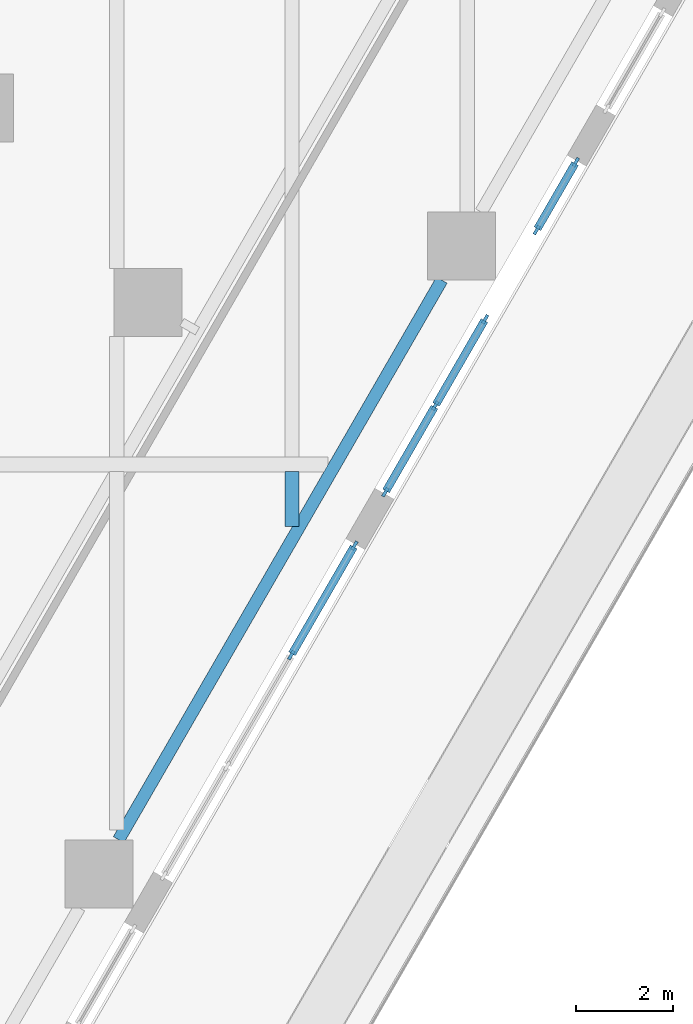
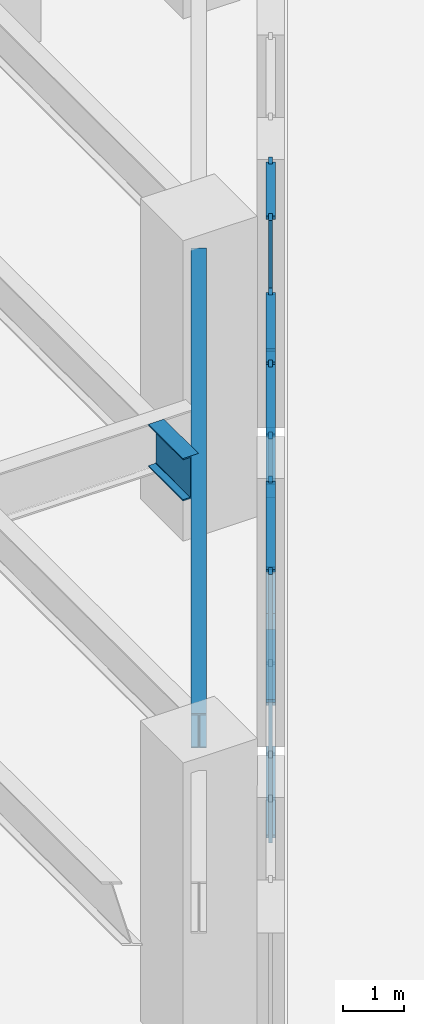
# One storey, part 10 of 40: 19 members, 2 beams, 3 elements without a shape of their own.
"""IFC4 building model written with IfcOpenShell, lengths in metres."""

import ifcopenshell
import ifcopenshell.guid

model = None  # the IFC model being written
_history = None  # IfcOwnerHistory: only IFC2X3 demands one
_inside = {}  # id of a spatial element -> (the spatial element, [elements in it])
_under = {}  # id of a project, library or spatial element -> (it, [spatial elements below it])
_declared = {}  # id of a project -> (the project, [libraries it declares])
_typed = {}  # id of a type object -> (the type object, [elements of that type])
_made_of = {}  # id of a material, layer set ... -> (it, [elements and type objects made of it])


def new_model(schema):
    """Start an empty IFC model of exactly this schema.

    Asked for "IFC4X3", IfcOpenShell would pick the latest addendum, in which some entities
    have other attributes; the version numbers below select the first issue.
    IFC2X3 requires an IfcOwnerHistory on every rooted entity: one is made here for all.
    """
    global model, _history
    if schema == "IFC4X3":
        model = ifcopenshell.file(schema_version=(4, 3, 0, 0))
    else:
        model = ifcopenshell.file(schema=schema)
    _inside.clear()
    _under.clear()
    _declared.clear()
    _typed.clear()
    _made_of.clear()
    _history = None
    if model.schema == "IFC2X3":
        org = make("IfcOrganization", Name="unknown")
        user = make(
            "IfcPersonAndOrganization",
            ThePerson=make("IfcPerson", FamilyName="unknown"),
            TheOrganization=org,
        )
        app = make(
            "IfcApplication",
            ApplicationDeveloper=org,
            Version="unknown",
            ApplicationFullName="unknown",
            ApplicationIdentifier="unknown",
        )
        _history = make(
            "IfcOwnerHistory",
            OwningUser=user,
            OwningApplication=app,
            ChangeAction="ADDED",
            CreationDate=0,
        )
    return model


def make(cls, **values):
    """One entity of the class cls with the attributes given. An attribute that is None is left unset."""
    return model.create_entity(
        cls, **{name: value for name, value in values.items() if value is not None}
    )


def rooted(cls, **values):
    """An entity with a GlobalId (a new one), such as an element, a storey or a relation."""
    return make(cls, GlobalId=ifcopenshell.guid.new(), OwnerHistory=_history, **values)


def si_unit(unit_type, name, prefix=None):
    """IfcSIUnit, for example si_unit("LENGTHUNIT", "METRE", prefix="MILLI")."""
    return make("IfcSIUnit", UnitType=unit_type, Prefix=prefix, Name=name)


def assignment(units):
    """IfcUnitAssignment: the units of a project."""
    return None if units is None else make("IfcUnitAssignment", Units=units)


def point(xyz):
    """IfcCartesianPoint."""
    return None if xyz is None else make("IfcCartesianPoint", Coordinates=xyz)


def direction(xyz):
    """IfcDirection."""
    return None if xyz is None else make("IfcDirection", DirectionRatios=xyz)


def frame(location, z_axis=None, x_axis=None):
    """IfcAxis2Placement3D, a coordinate frame: its origin and axes. An axis left out is left unset."""
    return make(
        "IfcAxis2Placement3D",
        Location=point(location),
        Axis=direction(z_axis),
        RefDirection=direction(x_axis),
    )


def frame_2d(location, x_axis=None):
    """IfcAxis2Placement2D, a coordinate frame in the plane: its origin and x axis."""
    return make(
        "IfcAxis2Placement2D", Location=point(location), RefDirection=direction(x_axis)
    )


def origin():
    """The frame at (0, 0, 0) with its axes left unset."""
    return frame((0.0, 0.0, 0.0))


def origin_2d():
    """The frame at (0, 0) in the plane with its x axis left unset."""
    return frame_2d((0.0, 0.0))


def place(relative_to, where):
    """IfcLocalPlacement: puts the frame where relative to a parent placement (None: the world)."""
    return make(
        "IfcLocalPlacement", PlacementRelTo=relative_to, RelativePlacement=where
    )


def context(
    kind, dimensions, precision=None, world=None, true_north=None, identifier=None
):
    """IfcGeometricRepresentationContext, for example the 3D "Model" context."""
    return make(
        "IfcGeometricRepresentationContext",
        ContextIdentifier=identifier,
        ContextType=kind,
        CoordinateSpaceDimension=dimensions,
        Precision=precision,
        WorldCoordinateSystem=world,
        TrueNorth=true_north,
    )


def subcontext(parent, identifier, kind, view, scale=None):
    """IfcGeometricRepresentationSubContext, for example "Body" below "Model"."""
    return make(
        "IfcGeometricRepresentationSubContext",
        ContextIdentifier=identifier,
        ContextType=kind,
        ParentContext=parent,
        TargetScale=scale,
        TargetView=view,
    )


def project(units=None, contexts=None):
    """IfcProject with its units and contexts."""
    return rooted(
        "IfcProject",
        Name="project",
        RepresentationContexts=contexts,
        UnitsInContext=assignment(units),
    )


def spatial(cls, under=None, at=None, **own):
    """A site, building, storey or space (cls), placed at a placement, below another one or the project."""
    s = rooted(cls, ObjectPlacement=at, **own)
    if under is not None:
        _under.setdefault(under.id(), (under, []))[1].append(s)
    return s


def profile(cls, at=None, kind="AREA", **sizes):
    """A parametric profile (cls). Its sizes go by their IFC names, for example OverallWidth=200.0."""
    return make(cls, ProfileType=kind, Position=at, **sizes)


def rectangle(**sizes):
    """IfcRectangleProfileDef."""
    return profile("IfcRectangleProfileDef", **sizes)


def i_section(**sizes):
    """IfcIShapeProfileDef."""
    return profile("IfcIShapeProfileDef", **sizes)


def extrude(swept, where, along, depth):
    """IfcExtrudedAreaSolid: the profile swept, set in the frame where, extruded along a direction by depth."""
    return make(
        "IfcExtrudedAreaSolid",
        SweptArea=swept,
        Position=where,
        ExtrudedDirection=direction(along),
        Depth=depth,
    )


def shape(context_of_items, identifier, shape_type, items):
    """IfcShapeRepresentation: the items that make up one representation, for example the "Body"."""
    return make(
        "IfcShapeRepresentation",
        ContextOfItems=context_of_items,
        RepresentationIdentifier=identifier,
        RepresentationType=shape_type,
        Items=items,
    )


def material(Name=None, Category=None):
    """IfcMaterial."""
    return make("IfcMaterial", Name=Name, Category=Category)


def material_profile(
    of_material, cross_section, Name=None, Category=None, Priority=None
):
    """IfcMaterialProfile: a cross section and its material."""
    return make(
        "IfcMaterialProfile",
        Name=Name,
        Material=of_material,
        Profile=cross_section,
        Priority=Priority,
        Category=Category,
    )


def profile_set(profiles, Name=None, composite=None):
    """IfcMaterialProfileSet."""
    return make(
        "IfcMaterialProfileSet",
        Name=Name,
        MaterialProfiles=profiles,
        CompositeProfile=composite,
    )


def made_of(thing, what):
    """Note that an element or type object is made of a material, layer set ...; save() writes the relation."""
    if what is not None:
        _made_of.setdefault(what.id(), (what, []))[1].append(thing)
    return thing


def type_object(cls, material=None, **own):
    """A type object (cls), such as IfcWallType, which elements share."""
    return made_of(rooted(cls, **own), material)


def element(
    cls,
    number,
    at=None,
    inside=None,
    cuts=None,
    type_object=None,
    material=None,
    context=None,
    identifier="Body",
    shape_type=None,
    held_by="IfcProductDefinitionShape",
    body=None,
    shapes=None,
    **own,
):
    """One element of the class cls, such as IfcWall. Its Tag is "e" and its number.

    at: its placement. inside: the storey or other place that contains it. cuts: it is an
    opening in that element (IfcRelVoidsElement). A single representation is given by context,
    identifier, shape_type and body (its items); several are given by shapes. held_by: the class
    of the entity that holds the representations. save() writes the other relations.
    """
    e = rooted(cls, Tag="e%d" % number, ObjectPlacement=at, **own)
    if body is not None:
        shapes = [shape(context, identifier, shape_type, body)]
    if shapes is not None:
        e.Representation = make(held_by, Representations=shapes)
    if inside is not None:
        _inside.setdefault(inside.id(), (inside, []))[1].append(e)
    if cuts is not None:
        rooted(
            "IfcRelVoidsElement", RelatingBuildingElement=cuts, RelatedOpeningElement=e
        )
    if type_object is not None:
        _typed.setdefault(type_object.id(), (type_object, []))[1].append(e)
    return made_of(e, material)


def aggregate(whole, parts):
    """IfcRelAggregates: a whole, such as a stair, and the parts it consists of."""
    return rooted("IfcRelAggregates", RelatingObject=whole, RelatedObjects=parts)


def save(model, path):
    """Write the relations noted so far, then the file.

    IfcRelAggregates (storeys below a building ...), IfcRelContainedInSpatialStructure (elements
    in a storey), IfcRelDefinesByType, IfcRelAssociatesMaterial and IfcRelDeclares: one each for
    every whole, place, type object, material and project.
    """
    for whole, parts in _under.values():
        aggregate(whole, parts)
    for where, things in _inside.values():
        rooted(
            "IfcRelContainedInSpatialStructure",
            RelatedElements=things,
            RelatingStructure=where,
        )
    for kind, things in _typed.values():
        rooted("IfcRelDefinesByType", RelatedObjects=things, RelatingType=kind)
    for what, things in _made_of.values():
        rooted("IfcRelAssociatesMaterial", RelatedObjects=things, RelatingMaterial=what)
    for by, libraries in _declared.values():
        rooted("IfcRelDeclares", RelatingContext=by, RelatedDefinitions=libraries)
    model.write(path)


model = new_model("IFC4")

# Units and contexts
model_context = context("Model", 3, precision=1e-05, world=origin(), true_north=direction((0.0, 1.0)))
body_context = subcontext(model_context, "Body", "Model", "MODEL_VIEW")
ifc_project = project(units=[si_unit("LENGTHUNIT", "METRE"), si_unit("AREAUNIT", "SQUARE_METRE"), si_unit("VOLUMEUNIT", "CUBIC_METRE"), si_unit("PLANEANGLEUNIT", "RADIAN"), si_unit("MASSUNIT", "GRAM", prefix="KILO")], contexts=[model_context])

# Site, building, storey
site_placement = place(None, origin())
site = spatial("IfcSite", under=ifc_project, at=site_placement, CompositionType="ELEMENT")
building_placement = place(site_placement, origin())
building = spatial("IfcBuilding", under=site, at=building_placement, Name="Aloe Facet Convention Tower", CompositionType="ELEMENT")
storey_placement = place(building_placement, frame((0.0, 0.0, 13.5)))
storey = spatial("IfcBuildingStorey", under=building, at=storey_placement, Name="L02", CompositionType="ELEMENT", Elevation=13.5)

# Curtain wall, members
ifc_material_1 = material(Name="Aluminium, anodised", Category="aluminium")
curtain_wall_type = type_object("IfcCurtainWallType", Name="EV-CW-HALL", PredefinedType="USERDEFINED", material=ifc_material_1)
curtain_wall_1_placement = place(storey_placement, origin())
curtain_wall_1 = element("IfcCurtainWall", 1, at=curtain_wall_1_placement, inside=storey, type_object=curtain_wall_type, Name="CW-L02-E12", ObjectType="UNITISED HALL GLAZING", PredefinedType="USERDEFINED")
ifc_material_2 = material(Name="Aluminium, anodised", Category="aluminium")
ifc_material_profile_1 = material_profile(ifc_material_2, rectangle(XDim=0.06494140625, YDim=0.199951171875, at=origin_2d()), Name="AL 65x200")
ifc_profile_set_1 = profile_set([ifc_material_profile_1], Name="Aluminium, anodised")
member_type_1 = type_object("IfcMemberType", Name="EV-MULL-HALL", PredefinedType="MULLION", material=ifc_profile_set_1)
member_1_placement = place(storey_placement, frame((108.78515625, 95.07763671875, -0.300048828125), z_axis=(0.0, 0.0, 1.0), x_axis=(-0.866025403758, 0.500000000045, 0.0)))
member_1 = element("IfcMember", 2, at=member_1_placement, type_object=member_type_1, Name="CW-L02-E12 mullion 3", PredefinedType="MULLION", context=body_context, shape_type="SweptSolid", body=[
    extrude(rectangle(XDim=0.06494140625, YDim=0.199951171875, at=origin_2d()), origin(), (0.0, 0.0, 1.0), 5.362548828125),
])
member_2_placement = place(storey_placement, frame((110.085205078125, 97.329833984375, -0.300048828125), z_axis=(0.0, 0.0, 1.0), x_axis=(-0.866025403758, 0.500000000045, 0.0)))
member_2 = element("IfcMember", 3, at=member_2_placement, type_object=member_type_1, Name="CW-L02-E12 mullion 4", PredefinedType="MULLION", context=body_context, shape_type="SweptSolid", body=[
    extrude(rectangle(XDim=0.06494140625, YDim=0.199951171875, at=origin_2d()), origin(), (0.0, 0.0, 1.0), 5.362548828125),
])

curtain_wall_2_placement = place(storey_placement, origin())
curtain_wall_2 = element("IfcCurtainWall", 4, at=curtain_wall_2_placement, inside=storey, type_object=curtain_wall_type, Name="CW-L02-E14-1", ObjectType="UNITISED HALL GLAZING", PredefinedType="USERDEFINED")
member_3_placement = place(storey_placement, frame((110.7177734375, 98.42529296875, -0.300048828125), z_axis=(0.0, 0.0, 1.0), x_axis=(-0.866025403863, 0.499999999864, 0.0)))
member_3 = element("IfcMember", 5, at=member_3_placement, type_object=member_type_1, Name="CW-L02-E14-1 mullion 1", PredefinedType="MULLION", context=body_context, shape_type="SweptSolid", body=[
    extrude(rectangle(XDim=0.06494140625, YDim=0.199951171875, at=origin_2d()), origin(), (0.0, 0.0, 1.0), 5.362548828125),
])
member_4_placement = place(storey_placement, frame((111.74462890625, 100.20361328125, -0.300048828125), z_axis=(0.0, 0.0, 1.0), x_axis=(-0.866025403863, 0.499999999864, 0.0)))
member_4 = element("IfcMember", 6, at=member_4_placement, type_object=member_type_1, Name="CW-L02-E14-1 mullion 2", PredefinedType="MULLION", context=body_context, shape_type="SweptSolid", body=[
    extrude(rectangle(XDim=0.06494140625, YDim=0.199951171875, at=origin_2d()), origin(), (0.0, 0.0, 1.0), 5.362548828125),
])
member_5_placement = place(storey_placement, frame((112.771240234375, 101.98193359375, -0.300048828125), z_axis=(0.0, 0.0, 1.0), x_axis=(-0.866025403863, 0.499999999864, 0.0)))
member_5 = element("IfcMember", 7, at=member_5_placement, type_object=member_type_1, Name="CW-L02-E14-1 mullion 3", PredefinedType="MULLION", context=body_context, shape_type="SweptSolid", body=[
    extrude(rectangle(XDim=0.06494140625, YDim=0.199951171875, at=origin_2d()), origin(), (0.0, 0.0, 1.0), 5.362548828125),
])

curtain_wall_3_placement = place(storey_placement, origin())
curtain_wall_3 = element("IfcCurtainWall", 8, at=curtain_wall_3_placement, inside=storey, type_object=curtain_wall_type, Name="CW-L02-E14-2", ObjectType="UNITISED HALL GLAZING", PredefinedType="USERDEFINED")
member_6_placement = place(storey_placement, frame((113.828369140625, 103.812744140625, -0.300048828125), z_axis=(0.0, 0.0, 1.0), x_axis=(-0.866025403889, 0.499999999819, 0.0)))
member_6 = element("IfcMember", 9, at=member_6_placement, type_object=member_type_1, Name="CW-L02-E14-2 mullion 1", PredefinedType="MULLION", context=body_context, shape_type="SweptSolid", body=[
    extrude(rectangle(XDim=0.06494140625, YDim=0.199951171875, at=origin_2d()), origin(), (0.0, 0.0, 1.0), 5.362548828125),
])
member_7_placement = place(storey_placement, frame((114.634765625, 105.20947265625, -0.300048828125), z_axis=(0.0, 0.0, 1.0), x_axis=(-0.866025403889, 0.499999999819, 0.0)))
member_7 = element("IfcMember", 10, at=member_7_placement, type_object=member_type_1, Name="CW-L02-E14-2 mullion 2", PredefinedType="MULLION", context=body_context, shape_type="SweptSolid", body=[
    extrude(rectangle(XDim=0.06494140625, YDim=0.199951171875, at=origin_2d()), origin(), (0.0, 0.0, 1.0), 5.362548828125),
])

# Member
ifc_material_3 = material(Name="Aluminium, anodised", Category="aluminium")
ifc_material_profile_2 = material_profile(ifc_material_3, rectangle(XDim=0.159912109375, YDim=0.06494140625, at=origin_2d()), Name="AL 160x65")
ifc_profile_set_2 = profile_set([ifc_material_profile_2], Name="Aluminium, anodised")
member_type_2 = type_object("IfcMemberType", Name="EV-TRAN-HALL", PredefinedType="USERDEFINED", material=ifc_profile_set_2)
member_8_placement = place(storey_placement, frame((108.80126953125, 95.10595703125, -0.267578125), z_axis=(0.500022507987, 0.866012408402, 0.0), x_axis=(-0.866012408402, 0.500022507987, 0.0)))
member_8 = element("IfcMember", 11, at=member_8_placement, type_object=member_type_2, Name="CW-L02-E12 transom 3.1", ObjectType="TRANSOM", PredefinedType="USERDEFINED", context=body_context, shape_type="SweptSolid", body=[
    extrude(rectangle(XDim=0.159912109375, YDim=0.06494140625, at=origin_2d()), origin(), (0.0, 0.0, 1.0), 2.53564453125),
])

member_9_placement = place(storey_placement, frame((108.80126953125, 95.10595703125, 2.38134765625), z_axis=(0.500022507987, 0.866012408402, 0.0), x_axis=(-0.866012408402, 0.500022507987, 0.0)))
member_9 = element("IfcMember", 12, at=member_9_placement, type_object=member_type_2, Name="CW-L02-E12 transom 3.2", ObjectType="TRANSOM", PredefinedType="USERDEFINED", context=body_context, shape_type="SweptSolid", body=[
    extrude(rectangle(XDim=0.159912109375, YDim=0.06494140625, at=origin_2d()), origin(), (0.0, 0.0, 1.0), 2.53564453125),
])

member_10_placement = place(storey_placement, frame((108.80126953125, 95.10595703125, 5.030029296875), z_axis=(0.500022507987, 0.866012408402, 0.0), x_axis=(-0.866012408402, 0.500022507987, 0.0)))
member_10 = element("IfcMember", 13, at=member_10_placement, type_object=member_type_2, Name="CW-L02-E12 transom 3.3", ObjectType="TRANSOM", PredefinedType="USERDEFINED", context=body_context, shape_type="SweptSolid", body=[
    extrude(rectangle(XDim=0.159912109375, YDim=0.06494140625, at=origin_2d()), origin(), (0.0, 0.0, 1.0), 2.53564453125),
])

aggregate(curtain_wall_1, [member_1, member_2, member_8, member_9, member_10])

member_11_placement = place(storey_placement, frame((110.734130859375, 98.453369140625, -0.267578125), z_axis=(0.499942098031, 0.866058830921, 0.0), x_axis=(-0.866058830921, 0.499942098031, 0.0)))
member_11 = element("IfcMember", 14, at=member_11_placement, type_object=member_type_2, Name="CW-L02-E14-1 transom 1.1", ObjectType="TRANSOM", PredefinedType="USERDEFINED", context=body_context, shape_type="SweptSolid", body=[
    extrude(rectangle(XDim=0.159912109375, YDim=0.06494140625, at=origin_2d()), origin(), (0.0, 0.0, 1.0), 1.988525390625),
])

member_12_placement = place(storey_placement, frame((110.734130859375, 98.453369140625, 2.38134765625), z_axis=(0.499942098031, 0.866058830921, 0.0), x_axis=(-0.866058830921, 0.499942098031, 0.0)))
member_12 = element("IfcMember", 15, at=member_12_placement, type_object=member_type_2, Name="CW-L02-E14-1 transom 1.2", ObjectType="TRANSOM", PredefinedType="USERDEFINED", context=body_context, shape_type="SweptSolid", body=[
    extrude(rectangle(XDim=0.159912109375, YDim=0.06494140625, at=origin_2d()), origin(), (0.0, 0.0, 1.0), 1.988525390625),
])

member_13_placement = place(storey_placement, frame((110.734130859375, 98.453369140625, 5.030029296875), z_axis=(0.499942098031, 0.866058830921, 0.0), x_axis=(-0.866058830921, 0.499942098031, 0.0)))
member_13 = element("IfcMember", 16, at=member_13_placement, type_object=member_type_2, Name="CW-L02-E14-1 transom 1.3", ObjectType="TRANSOM", PredefinedType="USERDEFINED", context=body_context, shape_type="SweptSolid", body=[
    extrude(rectangle(XDim=0.159912109375, YDim=0.06494140625, at=origin_2d()), origin(), (0.0, 0.0, 1.0), 1.988525390625),
])

member_14_placement = place(storey_placement, frame((111.7607421875, 100.231689453125, -0.267578125), z_axis=(0.499942098031, 0.866058830921, 0.0), x_axis=(-0.866058830921, 0.499942098031, 0.0)))
member_14 = element("IfcMember", 17, at=member_14_placement, type_object=member_type_2, Name="CW-L02-E14-1 transom 2.1", ObjectType="TRANSOM", PredefinedType="USERDEFINED", context=body_context, shape_type="SweptSolid", body=[
    extrude(rectangle(XDim=0.159912109375, YDim=0.06494140625, at=origin_2d()), origin(), (0.0, 0.0, 1.0), 1.988525390625),
])

member_15_placement = place(storey_placement, frame((111.7607421875, 100.231689453125, 2.38134765625), z_axis=(0.499942098031, 0.866058830921, 0.0), x_axis=(-0.866058830921, 0.499942098031, 0.0)))
member_15 = element("IfcMember", 18, at=member_15_placement, type_object=member_type_2, Name="CW-L02-E14-1 transom 2.2", ObjectType="TRANSOM", PredefinedType="USERDEFINED", context=body_context, shape_type="SweptSolid", body=[
    extrude(rectangle(XDim=0.159912109375, YDim=0.06494140625, at=origin_2d()), origin(), (0.0, 0.0, 1.0), 1.988525390625),
])

member_16_placement = place(storey_placement, frame((111.7607421875, 100.231689453125, 5.030029296875), z_axis=(0.499942098031, 0.866058830921, 0.0), x_axis=(-0.866058830921, 0.499942098031, 0.0)))
member_16 = element("IfcMember", 19, at=member_16_placement, type_object=member_type_2, Name="CW-L02-E14-1 transom 2.3", ObjectType="TRANSOM", PredefinedType="USERDEFINED", context=body_context, shape_type="SweptSolid", body=[
    extrude(rectangle(XDim=0.159912109375, YDim=0.06494140625, at=origin_2d()), origin(), (0.0, 0.0, 1.0), 1.988525390625),
])

aggregate(curtain_wall_2, [member_3, member_4, member_5, member_11, member_12, member_13, member_14, member_15, member_16])

member_17_placement = place(storey_placement, frame((113.844482421875, 103.841064453125, -0.267578125), z_axis=(0.500041054325, 0.866001699761, 0.0), x_axis=(-0.866001699761, 0.500041054325, 0.0)))
member_17 = element("IfcMember", 20, at=member_17_placement, type_object=member_type_2, Name="CW-L02-E14-2 transom 1.1", ObjectType="TRANSOM", PredefinedType="USERDEFINED", context=body_context, shape_type="SweptSolid", body=[
    extrude(rectangle(XDim=0.159912109375, YDim=0.06494140625, at=origin_2d()), origin(), (0.0, 0.0, 1.0), 1.547607421875),
])

member_18_placement = place(storey_placement, frame((113.844482421875, 103.841064453125, 2.38134765625), z_axis=(0.500041054325, 0.866001699761, 0.0), x_axis=(-0.866001699761, 0.500041054325, 0.0)))
member_18 = element("IfcMember", 21, at=member_18_placement, type_object=member_type_2, Name="CW-L02-E14-2 transom 1.2", ObjectType="TRANSOM", PredefinedType="USERDEFINED", context=body_context, shape_type="SweptSolid", body=[
    extrude(rectangle(XDim=0.159912109375, YDim=0.06494140625, at=origin_2d()), origin(), (0.0, 0.0, 1.0), 1.547607421875),
])

member_19_placement = place(storey_placement, frame((113.844482421875, 103.841064453125, 5.030029296875), z_axis=(0.500041054325, 0.866001699761, 0.0), x_axis=(-0.866001699761, 0.500041054325, 0.0)))
member_19 = element("IfcMember", 22, at=member_19_placement, type_object=member_type_2, Name="CW-L02-E14-2 transom 1.3", ObjectType="TRANSOM", PredefinedType="USERDEFINED", context=body_context, shape_type="SweptSolid", body=[
    extrude(rectangle(XDim=0.159912109375, YDim=0.06494140625, at=origin_2d()), origin(), (0.0, 0.0, 1.0), 1.547607421875),
])

aggregate(curtain_wall_3, [member_6, member_7, member_17, member_18, member_19])

# Beams
ifc_material_4 = material(Name="Steel S355", Category="steel")
ifc_material_profile_3 = material_profile(ifc_material_4, i_section(OverallWidth=0.25439453125, OverallDepth=0.6875, WebThickness=0.01318359375, FlangeThickness=0.02099609375, FilletRadius=0.01513671875, at=origin_2d()), Name="UB 686x254x152")
ifc_profile_set_3 = profile_set([ifc_material_profile_3], Name="Steel S355")
beam_type_1 = type_object("IfcBeamType", Name="SF-B-UB686x254x152", PredefinedType="BEAM", material=ifc_profile_set_3)
beam_1_placement = place(storey_placement, frame((111.878173828125, 102.784912109375, 5.40625), z_axis=(-0.50000679685, -0.866021479586, 0.0), x_axis=(0.866021479586, -0.50000679685, 0.0)))
element("IfcBeam", 23, at=beam_1_placement, inside=storey, type_object=beam_type_1, Name="Floor beam FB-L03-019", PredefinedType="BEAM", context=body_context, shape_type="SweptSolid", body=[
    extrude(i_section(OverallWidth=0.25439453125, OverallDepth=0.6875, WebThickness=0.01318359375, FlangeThickness=0.02099609375, FilletRadius=0.01513671875, at=origin_2d()), origin(), (0.0, 0.0, 1.0), 13.279052734375),
])
ifc_material_5 = material(Name="Steel S355", Category="steel")
ifc_material_profile_4 = material_profile(ifc_material_5, i_section(OverallWidth=0.293701171875, OverallDepth=0.850830078125, WebThickness=0.01611328125, FlangeThickness=0.02685546875, FilletRadius=0.017822265625, at=origin_2d()), Name="UB 838x292x226")
ifc_profile_set_4 = profile_set([ifc_material_profile_4], Name="Steel S355")
beam_type_2 = type_object("IfcBeamType", Name="SF-B-UB838x292x226", PredefinedType="BEAM", material=ifc_profile_set_4)
beam_2_placement = place(storey_placement, frame((108.800048828125, 97.718017578125, 5.324462890625), z_axis=(0.0, 1.0, 0.0), x_axis=(-1.0, 0.0, 0.0)))
element("IfcBeam", 24, at=beam_2_placement, inside=storey, type_object=beam_type_2, Name="Floor beam FB-L03-126", PredefinedType="BEAM", context=body_context, shape_type="SweptSolid", body=[
    extrude(i_section(OverallWidth=0.293701171875, OverallDepth=0.850830078125, WebThickness=0.01611328125, FlangeThickness=0.02685546875, FilletRadius=0.017822265625, at=origin_2d()), origin(), (0.0, 0.0, 1.0), 1.12939453125),
])

save(model, "model.ifc")
